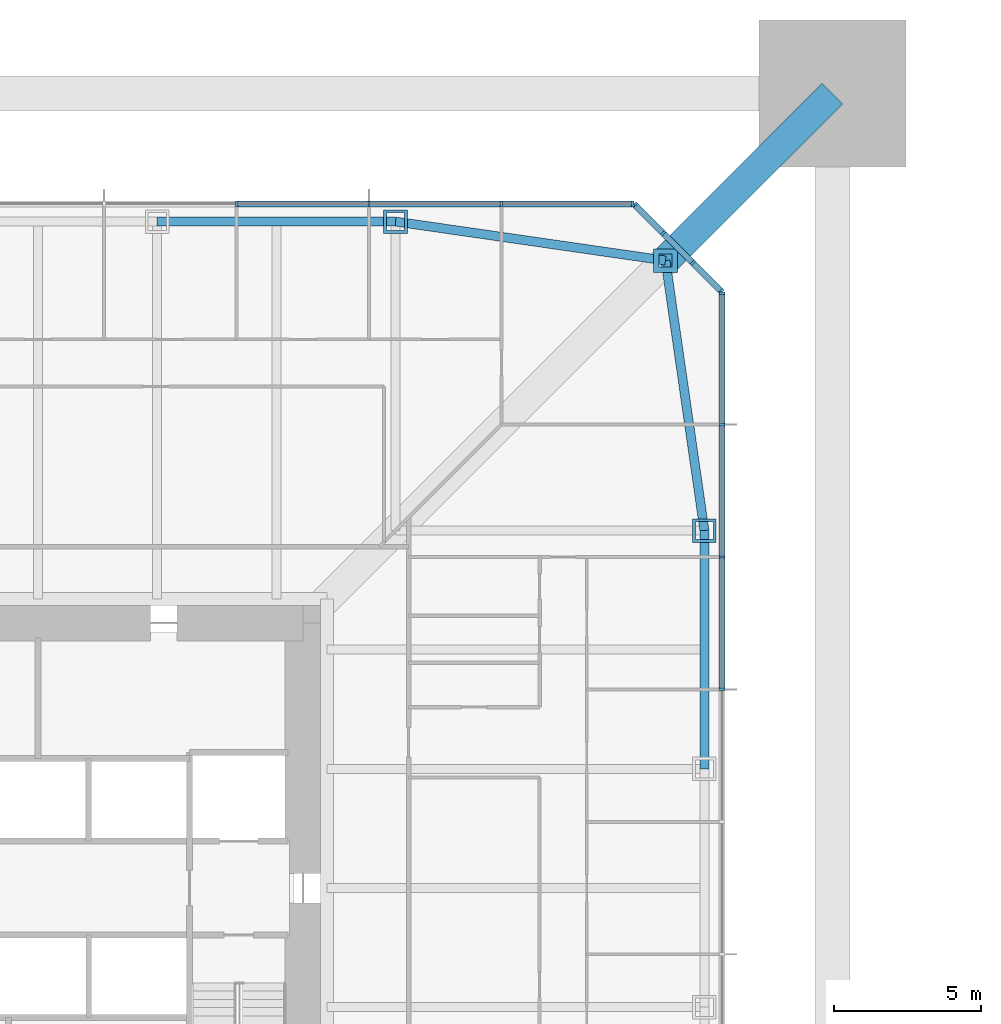
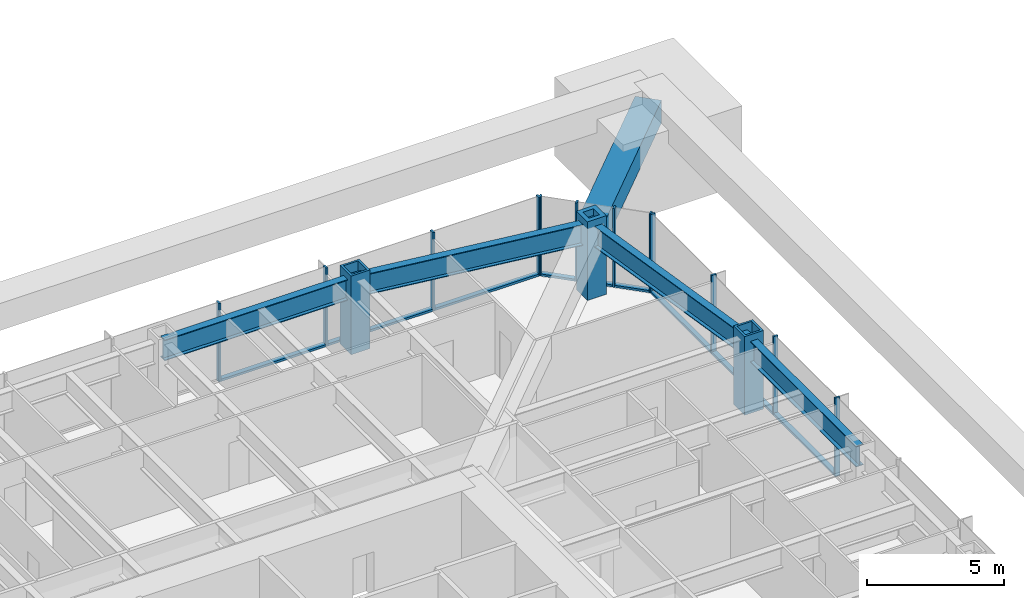
# One storey, part 12 of 32: 25 members, 4 beams, 3 elements without a shape of their own.
"""IFC4 building model written with IfcOpenShell, lengths in metres."""

from ifc_helpers import new_model, si_unit, direction, frame, origin, origin_2d, place, context, subcontext, project, spatial, rectangle, hollow_rectangle, i_section, extrude, material, material_profile, profile_set, type_object, element, aggregate, save


model = new_model("IFC4")

# Units and contexts
model_context = context("Model", 3, precision=1e-05, world=origin(), true_north=direction((0.0, 1.0)))
body_context = subcontext(model_context, "Body", "Model", "MODEL_VIEW")
ifc_project = project(units=[si_unit("LENGTHUNIT", "METRE"), si_unit("AREAUNIT", "SQUARE_METRE"), si_unit("VOLUMEUNIT", "CUBIC_METRE"), si_unit("PLANEANGLEUNIT", "RADIAN"), si_unit("MASSUNIT", "GRAM", prefix="KILO")], contexts=[model_context])

# Site, building, storey
site_placement = place(None, origin())
site = spatial("IfcSite", under=ifc_project, at=site_placement, CompositionType="ELEMENT")
building_placement = place(site_placement, origin())
building = spatial("IfcBuilding", under=site, at=building_placement, Name="Iwan Alto Co-Living Towers", CompositionType="ELEMENT")
storey_placement = place(building_placement, frame((0.0, 0.0, 71.0)))
storey = spatial("IfcBuildingStorey", under=building, at=storey_placement, Name="L19", CompositionType="ELEMENT", Elevation=71.0)

# Curtain wall, members
ifc_material_1 = material(Name="Bronze aluminium unitised frame", Category="aluminium")
curtain_wall_type_1 = type_object("IfcCurtainWallType", Name="CURTAIN WALL CW-A", PredefinedType="NOTDEFINED", material=ifc_material_1)
curtain_wall_1_placement = place(storey_placement, origin())
curtain_wall_1 = element("IfcCurtainWall", 1, at=curtain_wall_1_placement, inside=storey, type_object=curtain_wall_type_1, Name="T1 curtain wall E L19", PredefinedType="NOTDEFINED")
ifc_material_2 = material(Name="Aluminium 6063-T6 bronze anodised", Category="aluminium")
ifc_material_profile_1 = material_profile(ifc_material_2, rectangle(XDim=0.199951171875, YDim=0.080078125, at=origin_2d()), Name="AL 80X200")
ifc_profile_set_1 = profile_set([ifc_material_profile_1], Name="Aluminium 6063-T6 bronze anodised")
member_type_1 = type_object("IfcMemberType", Name="CW-A MULLION 80X200", PredefinedType="MULLION", material=ifc_profile_set_1)
member_1_placement = place(storey_placement, frame((23.25, 6.75, 0.0), z_axis=(0.0, 0.0, 1.0), x_axis=(-1.0, 0.0, 0.0)))
member_1 = element("IfcMember", 2, at=member_1_placement, type_object=member_type_1, Name="CW-A mullion 7", PredefinedType="MULLION", context=body_context, shape_type="SweptSolid", body=[
    extrude(rectangle(XDim=0.199951171875, YDim=0.080078125, at=origin_2d()), origin(), (0.0, 0.0, 1.0), 3.5),
])
member_2_placement = place(storey_placement, frame((23.25, 11.25, 0.0), z_axis=(0.0, 0.0, 1.0), x_axis=(-1.0, 0.0, 0.0)))
member_2 = element("IfcMember", 3, at=member_2_placement, type_object=member_type_1, Name="CW-A mullion 8", PredefinedType="MULLION", context=body_context, shape_type="SweptSolid", body=[
    extrude(rectangle(XDim=0.199951171875, YDim=0.080078125, at=origin_2d()), origin(), (0.0, 0.0, 1.0), 3.5),
])
member_3_placement = place(storey_placement, frame((23.25, 15.75, 0.0), z_axis=(0.0, 0.0, 1.0), x_axis=(-1.0, 0.0, 0.0)))
member_3 = element("IfcMember", 4, at=member_3_placement, type_object=member_type_1, Name="CW-A mullion 9", PredefinedType="MULLION", context=body_context, shape_type="SweptSolid", body=[
    extrude(rectangle(XDim=0.199951171875, YDim=0.080078125, at=origin_2d()), origin(), (0.0, 0.0, 1.0), 3.5),
])
member_4_placement = place(storey_placement, frame((23.25, 20.2099609375, 0.0), z_axis=(0.0, 0.0, 1.0), x_axis=(-1.0, 0.0, 0.0)))
member_4 = element("IfcMember", 5, at=member_4_placement, type_object=member_type_1, Name="CW-A mullion 10", PredefinedType="MULLION", context=body_context, shape_type="SweptSolid", body=[
    extrude(rectangle(XDim=0.199951171875, YDim=0.080078125, at=origin_2d()), origin(), (0.0, 0.0, 1.0), 3.5),
])

curtain_wall_2_placement = place(storey_placement, origin())
curtain_wall_2 = element("IfcCurtainWall", 6, at=curtain_wall_2_placement, inside=storey, type_object=curtain_wall_type_1, Name="T1 curtain wall N L19", PredefinedType="NOTDEFINED")
member_5_placement = place(storey_placement, frame((20.2099609375, 23.25, 0.0), z_axis=(0.0, 0.0, 1.0), x_axis=(0.0, -1.0, 0.0)))
member_5 = element("IfcMember", 7, at=member_5_placement, type_object=member_type_1, Name="CW-A mullion 1", PredefinedType="MULLION", context=body_context, shape_type="SweptSolid", body=[
    extrude(rectangle(XDim=0.199951171875, YDim=0.080078125, at=origin_2d()), origin(), (0.0, 0.0, 1.0), 3.5),
])
member_6_placement = place(storey_placement, frame((15.75, 23.25, 0.0), z_axis=(0.0, 0.0, 1.0), x_axis=(0.0, -1.0, 0.0)))
member_6 = element("IfcMember", 8, at=member_6_placement, type_object=member_type_1, Name="CW-A mullion 2", PredefinedType="MULLION", context=body_context, shape_type="SweptSolid", body=[
    extrude(rectangle(XDim=0.199951171875, YDim=0.080078125, at=origin_2d()), origin(), (0.0, 0.0, 1.0), 3.5),
])
member_7_placement = place(storey_placement, frame((11.25, 23.25, 0.0), z_axis=(0.0, 0.0, 1.0), x_axis=(0.0, -1.0, 0.0)))
member_7 = element("IfcMember", 9, at=member_7_placement, type_object=member_type_1, Name="CW-A mullion 3", PredefinedType="MULLION", context=body_context, shape_type="SweptSolid", body=[
    extrude(rectangle(XDim=0.199951171875, YDim=0.080078125, at=origin_2d()), origin(), (0.0, 0.0, 1.0), 3.5),
])
member_8_placement = place(storey_placement, frame((6.75, 23.25, 0.0), z_axis=(0.0, 0.0, 1.0), x_axis=(0.0, -1.0, 0.0)))
member_8 = element("IfcMember", 10, at=member_8_placement, type_object=member_type_1, Name="CW-A mullion 4", PredefinedType="MULLION", context=body_context, shape_type="SweptSolid", body=[
    extrude(rectangle(XDim=0.199951171875, YDim=0.080078125, at=origin_2d()), origin(), (0.0, 0.0, 1.0), 3.5),
])

# Member
ifc_material_3 = material(Name="Aluminium 6063-T6 bronze anodised", Category="aluminium")
ifc_material_profile_2 = material_profile(ifc_material_3, rectangle(XDim=0.199951171875, YDim=0.10009765625, at=origin_2d()), Name="AL 200X100")
ifc_profile_set_2 = profile_set([ifc_material_profile_2], Name="Aluminium 6063-T6 bronze anodised")
member_type_2 = type_object("IfcMemberType", Name="CW-A TRANSOM 200X100", PredefinedType="USERDEFINED", material=ifc_profile_set_2)
member_9_placement = place(storey_placement, frame((23.25, 6.7900390625, 0.050048828125), z_axis=(0.0, 1.0, 0.0), x_axis=(-1.0, 0.0, 0.0)))
member_9 = element("IfcMember", 11, at=member_9_placement, type_object=member_type_2, Name="CW-A transom 7.1", ObjectType="TRANSOM", PredefinedType="USERDEFINED", context=body_context, shape_type="SweptSolid", body=[
    extrude(rectangle(XDim=0.199951171875, YDim=0.10009765625, at=origin_2d()), origin(), (0.0, 0.0, 1.0), 4.419921875),
])

member_10_placement = place(storey_placement, frame((23.25, 11.2900390625, 0.050048828125), z_axis=(0.0, 1.0, 0.0), x_axis=(-1.0, 0.0, 0.0)))
member_10 = element("IfcMember", 12, at=member_10_placement, type_object=member_type_2, Name="CW-A transom 8.1", ObjectType="TRANSOM", PredefinedType="USERDEFINED", context=body_context, shape_type="SweptSolid", body=[
    extrude(rectangle(XDim=0.199951171875, YDim=0.10009765625, at=origin_2d()), origin(), (0.0, 0.0, 1.0), 4.419921875),
])

member_11_placement = place(storey_placement, frame((23.25, 15.7900390625, 0.050048828125), z_axis=(0.0, 1.0, 0.0), x_axis=(-1.0, 0.0, 0.0)))
member_11 = element("IfcMember", 13, at=member_11_placement, type_object=member_type_2, Name="CW-A transom 9.1", ObjectType="TRANSOM", PredefinedType="USERDEFINED", context=body_context, shape_type="SweptSolid", body=[
    extrude(rectangle(XDim=0.199951171875, YDim=0.10009765625, at=origin_2d()), origin(), (0.0, 0.0, 1.0), 4.3798828125),
])

aggregate(curtain_wall_1, [member_1, member_2, member_3, member_4, member_9, member_10, member_11])

member_12_placement = place(storey_placement, frame((20.169921875, 23.25, 0.050048828125), z_axis=(-1.0, 0.0, 0.0), x_axis=(0.0, -1.0, 0.0)))
member_12 = element("IfcMember", 14, at=member_12_placement, type_object=member_type_2, Name="CW-A transom 1.1", ObjectType="TRANSOM", PredefinedType="USERDEFINED", context=body_context, shape_type="SweptSolid", body=[
    extrude(rectangle(XDim=0.199951171875, YDim=0.10009765625, at=origin_2d()), origin(), (0.0, 0.0, 1.0), 4.3798828125),
])

member_13_placement = place(storey_placement, frame((15.7099609375, 23.25, 0.050048828125), z_axis=(-1.0, 0.0, 0.0), x_axis=(0.0, -1.0, 0.0)))
member_13 = element("IfcMember", 15, at=member_13_placement, type_object=member_type_2, Name="CW-A transom 2.1", ObjectType="TRANSOM", PredefinedType="USERDEFINED", context=body_context, shape_type="SweptSolid", body=[
    extrude(rectangle(XDim=0.199951171875, YDim=0.10009765625, at=origin_2d()), origin(), (0.0, 0.0, 1.0), 4.419921875),
])

member_14_placement = place(storey_placement, frame((11.2099609375, 23.25, 0.050048828125), z_axis=(-1.0, 0.0, 0.0), x_axis=(0.0, -1.0, 0.0)))
member_14 = element("IfcMember", 16, at=member_14_placement, type_object=member_type_2, Name="CW-A transom 3.1", ObjectType="TRANSOM", PredefinedType="USERDEFINED", context=body_context, shape_type="SweptSolid", body=[
    extrude(rectangle(XDim=0.199951171875, YDim=0.10009765625, at=origin_2d()), origin(), (0.0, 0.0, 1.0), 4.419921875),
])

aggregate(curtain_wall_2, [member_5, member_6, member_7, member_8, member_12, member_13, member_14])

# Curtain wall, members
ifc_material_4 = material(Name="Bronze aluminium unitised frame", Category="aluminium")
curtain_wall_type_2 = type_object("IfcCurtainWallType", Name="CURTAIN WALL CW-B", PredefinedType="NOTDEFINED", material=ifc_material_4)
curtain_wall_3_placement = place(storey_placement, origin())
curtain_wall_3 = element("IfcCurtainWall", 17, at=curtain_wall_3_placement, inside=storey, type_object=curtain_wall_type_2, Name="T1 chamfer curtain wall NE L19", PredefinedType="NOTDEFINED")
ifc_material_5 = material(Name="Aluminium 6063-T6 bronze anodised", Category="aluminium")
ifc_material_profile_3 = material_profile(ifc_material_5, rectangle(XDim=0.199951171875, YDim=0.080078125, at=origin_2d()), Name="AL 80X200")
ifc_profile_set_3 = profile_set([ifc_material_profile_3], Name="Aluminium 6063-T6 bronze anodised")
member_type_3 = type_object("IfcMemberType", Name="CW-B MULLION 80X200", PredefinedType="MULLION", material=ifc_profile_set_3)
member_15_placement = place(storey_placement, frame((23.2216796875, 20.2783203125, 0.0), z_axis=(0.0, 0.0, 1.0), x_axis=(-0.707106781187, -0.707106781187, 0.0)))
member_15 = element("IfcMember", 18, at=member_15_placement, type_object=member_type_3, Name="CW-B mullion 1", PredefinedType="MULLION", context=body_context, shape_type="SweptSolid", body=[
    extrude(rectangle(XDim=0.199951171875, YDim=0.080078125, at=origin_2d()), origin(), (0.0, 0.0, 1.0), 3.5),
])
member_16_placement = place(storey_placement, frame((22.25, 21.25, 0.0), z_axis=(0.0, 0.0, 1.0), x_axis=(-0.707106781187, -0.707106781187, 0.0)))
member_16 = element("IfcMember", 19, at=member_16_placement, type_object=member_type_3, Name="CW-B mullion 2", PredefinedType="MULLION", context=body_context, shape_type="SweptSolid", body=[
    extrude(rectangle(XDim=0.199951171875, YDim=0.080078125, at=origin_2d()), origin(), (0.0, 0.0, 1.0), 3.5),
])
member_17_placement = place(storey_placement, frame((21.25, 22.25, 0.0), z_axis=(0.0, 0.0, 1.0), x_axis=(-0.707106781187, -0.707106781187, 0.0)))
member_17 = element("IfcMember", 20, at=member_17_placement, type_object=member_type_3, Name="CW-B mullion 3", PredefinedType="MULLION", context=body_context, shape_type="SweptSolid", body=[
    extrude(rectangle(XDim=0.199951171875, YDim=0.080078125, at=origin_2d()), origin(), (0.0, 0.0, 1.0), 3.5),
])
member_18_placement = place(storey_placement, frame((20.2783203125, 23.2216796875, 0.0), z_axis=(0.0, 0.0, 1.0), x_axis=(-0.707106781187, -0.707106781187, 0.0)))
member_18 = element("IfcMember", 21, at=member_18_placement, type_object=member_type_3, Name="CW-B mullion 4", PredefinedType="MULLION", context=body_context, shape_type="SweptSolid", body=[
    extrude(rectangle(XDim=0.199951171875, YDim=0.080078125, at=origin_2d()), origin(), (0.0, 0.0, 1.0), 3.5),
])
ifc_material_6 = material(Name="Aluminium 6063-T6 bronze anodised", Category="aluminium")
ifc_material_profile_4 = material_profile(ifc_material_6, rectangle(XDim=0.199951171875, YDim=0.10009765625, at=origin_2d()), Name="AL 200X100")
ifc_profile_set_4 = profile_set([ifc_material_profile_4], Name="Aluminium 6063-T6 bronze anodised")
member_type_4 = type_object("IfcMemberType", Name="CW-B TRANSOM 200X100", PredefinedType="USERDEFINED", material=ifc_profile_set_4)
member_19_placement = place(storey_placement, frame((23.193359375, 20.306640625, 0.050048828125), z_axis=(-0.707106781187, 0.707106781187, 0.0), x_axis=(-0.707106781187, -0.707106781187, 0.0)))
member_19 = element("IfcMember", 22, at=member_19_placement, type_object=member_type_4, Name="CW-B transom 1.1", ObjectType="TRANSOM", PredefinedType="USERDEFINED", context=body_context, shape_type="SweptSolid", body=[
    extrude(rectangle(XDim=0.199951171875, YDim=0.10009765625, at=origin_2d()), origin(), (0.0, 0.0, 1.0), 1.2939453125),
])
member_20_placement = place(storey_placement, frame((22.2216796875, 21.2783203125, 0.050048828125), z_axis=(-0.707106781187, 0.707106781187, 0.0), x_axis=(-0.707106781187, -0.707106781187, 0.0)))
member_20 = element("IfcMember", 23, at=member_20_placement, type_object=member_type_4, Name="CW-B transom 2.1", ObjectType="TRANSOM", PredefinedType="USERDEFINED", context=body_context, shape_type="SweptSolid", body=[
    extrude(rectangle(XDim=0.199951171875, YDim=0.10009765625, at=origin_2d()), origin(), (0.0, 0.0, 1.0), 1.334228515625),
])
member_21_placement = place(storey_placement, frame((21.2216796875, 22.2783203125, 0.050048828125), z_axis=(-0.707106781187, 0.707106781187, 0.0), x_axis=(-0.707106781187, -0.707106781187, 0.0)))
member_21 = element("IfcMember", 24, at=member_21_placement, type_object=member_type_4, Name="CW-B transom 3.1", ObjectType="TRANSOM", PredefinedType="USERDEFINED", context=body_context, shape_type="SweptSolid", body=[
    extrude(rectangle(XDim=0.199951171875, YDim=0.10009765625, at=origin_2d()), origin(), (0.0, 0.0, 1.0), 1.2939453125),
])
aggregate(curtain_wall_3, [member_15, member_16, member_17, member_18, member_19, member_20, member_21])

# Beams
ifc_material_7 = material(Name="Steel ASTM A992 Gr 50", Category="steel")
ifc_material_profile_5 = material_profile(ifc_material_7, i_section(OverallWidth=0.307373046875, OverallDepth=0.927001953125, WebThickness=0.01953125, FlangeThickness=0.031982421875, at=origin_2d()), Name="W36X194")
ifc_profile_set_5 = profile_set([ifc_material_profile_5], Name="Steel ASTM A992 Gr 50")
beam_type = type_object("IfcBeamType", Name="T1 BELT TRUSS CHORD W36X194", PredefinedType="BEAM", material=ifc_profile_set_5)
beam_1_placement = place(storey_placement, frame((22.64990234375, 4.050048828125, 2.736328125), z_axis=(0.0, 1.0, 0.0), x_axis=(-1.0, 0.0, 0.0)))
element("IfcBeam", 25, at=beam_1_placement, inside=storey, type_object=beam_type, Name="T1 edge beam E3 L20", PredefinedType="BEAM", context=body_context, shape_type="SweptSolid", body=[
    extrude(i_section(OverallWidth=0.307373046875, OverallDepth=0.927001953125, WebThickness=0.01953125, FlangeThickness=0.031982421875, at=origin_2d()), origin(), (0.0, 0.0, 1.0), 8.099853515625),
])
for number, where, z_axis, x_axis, name in (
    (26, (22.64990234375, 12.14990234375, 2.736328125), (-0.142836940589, 0.989746234347, 0.0), (-0.989746234347, -0.142836940589, 0.0), "T1 edge beam E4 L20"),
    (27, (21.32568359375, 21.32568359375, 2.736328125), (-0.989746234347, 0.142836940589, 0.0), (-0.142836940589, -0.989746234347, 0.0), "T1 edge beam CNE L20"),
):
    element("IfcBeam", number, at=place(storey_placement, frame(where, z_axis=z_axis, x_axis=x_axis)), inside=storey, type_object=beam_type, Name=name, PredefinedType="BEAM", context=body_context, shape_type="SweptSolid", body=[
        extrude(i_section(OverallWidth=0.307373046875, OverallDepth=0.927001953125, WebThickness=0.01953125, FlangeThickness=0.031982421875, at=origin_2d()), origin(), (0.0, 0.0, 1.0), 9.270751953125),
    ])
beam_2_placement = place(storey_placement, frame((12.14990234375, 22.64990234375, 2.736328125), z_axis=(-1.0, 0.0, 0.0), x_axis=(0.0, -1.0, 0.0)))
element("IfcBeam", 28, at=beam_2_placement, inside=storey, type_object=beam_type, Name="T1 edge beam N1 L20", PredefinedType="BEAM", context=body_context, shape_type="SweptSolid", body=[
    extrude(i_section(OverallWidth=0.307373046875, OverallDepth=0.927001953125, WebThickness=0.01953125, FlangeThickness=0.031982421875, at=origin_2d()), origin(), (0.0, 0.0, 1.0), 8.099853515625),
])

# Members
ifc_material_8 = material(Name="Steel ASTM A36", Category="steel")
ifc_material_profile_6 = material_profile(ifc_material_8, hollow_rectangle(XDim=0.800048828125, YDim=0.800048828125, WallThickness=0.179931640625, at=origin_2d()), Name="BOX 800X800X180")
ifc_profile_set_6 = profile_set([ifc_material_profile_6], Name="Steel ASTM A36")
member_type_5 = type_object("IfcMemberType", Name="T1 HEAVY RING POST AT STEP BOX 800X800X180", PredefinedType="MEMBER", material=ifc_profile_set_6)
member_22_placement = place(storey_placement, frame((21.32568359375, 21.32568359375, 0.0), z_axis=(0.0, 0.0, 1.0), x_axis=(1.0, 0.0, 0.0)))
element("IfcMember", 29, at=member_22_placement, inside=storey, type_object=member_type_5, Name="T1 ring post at step CNE L19", PredefinedType="MEMBER", context=body_context, shape_type="SweptSolid", body=[
    extrude(hollow_rectangle(XDim=0.800048828125, YDim=0.800048828125, WallThickness=0.179931640625, at=origin_2d()), origin(), (0.0, 0.0, 1.0), 3.5),
])
ifc_material_9 = material(Name="Steel ASTM A572 Gr 50", Category="steel")
ifc_material_profile_7 = material_profile(ifc_material_9, hollow_rectangle(XDim=1.0, YDim=1.0, WallThickness=0.070068359375, at=origin_2d()), Name="BOX 1000X1000X70")
ifc_profile_set_7 = profile_set([ifc_material_profile_7], Name="Steel ASTM A572 Gr 50")
member_type_6 = type_object("IfcMemberType", Name="T1 OUTRIGGER CHORD BOX 1000X1000X70", PredefinedType="CHORD", material=ifc_profile_set_7)
member_23_placement = place(storey_placement, frame((21.32568359375, 21.32568359375, 2.699951171875), z_axis=(0.707106781187, 0.707106781187, 0.0), x_axis=(-0.707106781187, 0.707106781187, 0.0)))
element("IfcMember", 30, at=member_23_placement, inside=storey, type_object=member_type_6, Name="T1 outrigger NE L20 bottom chord 2", PredefinedType="CHORD", context=body_context, shape_type="SweptSolid", body=[
    extrude(hollow_rectangle(XDim=1.0, YDim=1.0, WallThickness=0.070068359375, at=origin_2d()), origin(), (0.0, 0.0, 1.0), 8.024658203125),
])
ifc_material_10 = material(Name="Steel ASTM A572 Gr 50", Category="steel")
ifc_material_profile_8 = material_profile(ifc_material_10, hollow_rectangle(XDim=0.800048828125, YDim=0.800048828125, WallThickness=0.090087890625, at=origin_2d()), Name="BOX 800X800X90")
ifc_profile_set_8 = profile_set([ifc_material_profile_8], Name="Steel ASTM A572 Gr 50")
member_type_7 = type_object("IfcMemberType", Name="T1 RING POST AT STEP BOX 800X800X90", PredefinedType="MEMBER", material=ifc_profile_set_8)
for number, where, z_axis, x_axis, name in (
    (31, (22.64990234375, 12.14990234375, 0.0), (0.0, 0.0, 1.0), (1.0, 0.0, 0.0), "T1 ring post at step E4 L19"),
    (32, (12.14990234375, 22.64990234375, 0.0), (0.0, 0.0, 1.0), (1.0, 0.0, 0.0), "T1 ring post at step N1 L19"),
):
    element("IfcMember", number, at=place(storey_placement, frame(where, z_axis=z_axis, x_axis=x_axis)), inside=storey, type_object=member_type_7, Name=name, PredefinedType="MEMBER", context=body_context, shape_type="SweptSolid", body=[
        extrude(hollow_rectangle(XDim=0.800048828125, YDim=0.800048828125, WallThickness=0.090087890625, at=origin_2d()), origin(), (0.0, 0.0, 1.0), 3.5),
    ])

save(model, "model.ifc")
